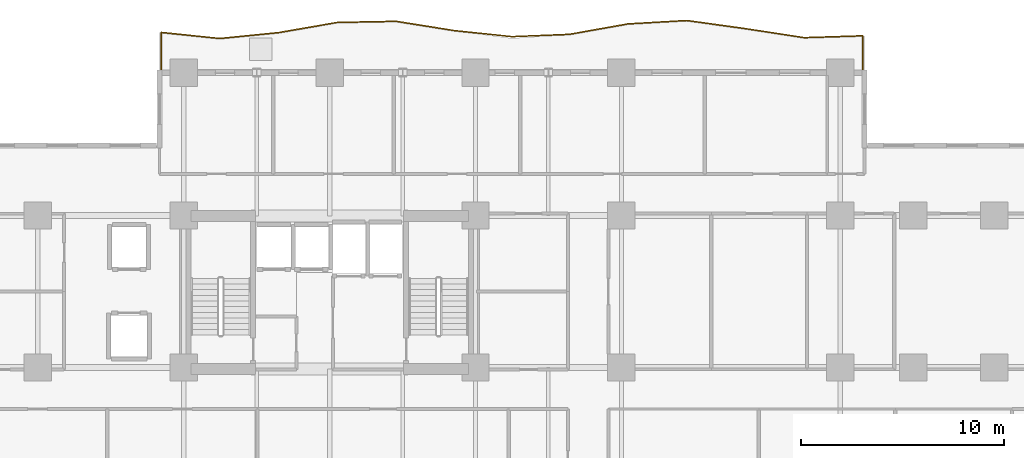
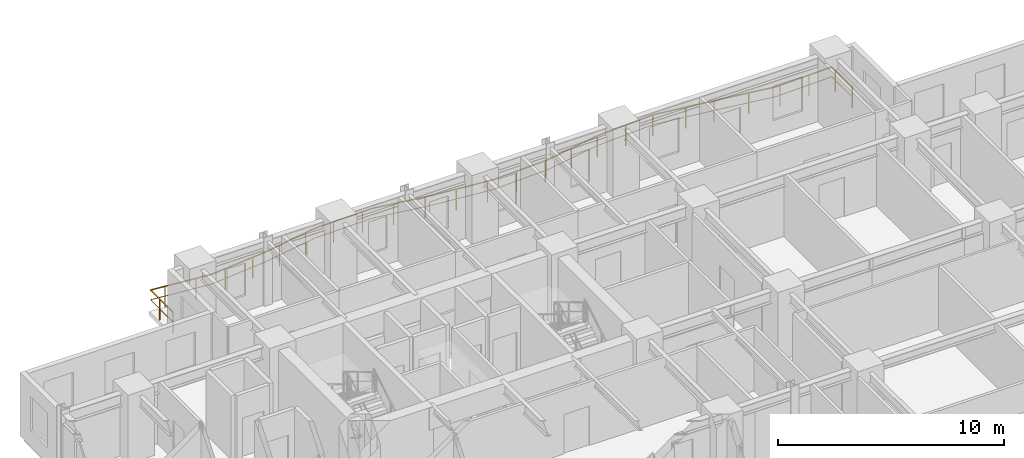
# One storey, part 11 of 11: 1 railing.
"""IFC4 building model written with IfcOpenShell, lengths in metres."""

from ifc_helpers import new_model, si_unit, direction, frame, origin, origin_2d, place, context, subcontext, project, spatial, rectangle, extrude, material, type_object, element, save


model = new_model("IFC4")

# Units and contexts
model_context = context("Model", 3, precision=1e-05, world=origin(), true_north=direction((0.0, 1.0)))
body_context = subcontext(model_context, "Body", "Model", "MODEL_VIEW")
ifc_project = project(units=[si_unit("LENGTHUNIT", "METRE"), si_unit("AREAUNIT", "SQUARE_METRE"), si_unit("VOLUMEUNIT", "CUBIC_METRE"), si_unit("PLANEANGLEUNIT", "RADIAN"), si_unit("MASSUNIT", "GRAM", prefix="KILO")], contexts=[model_context])

# Site, building, storey
site_placement = place(None, origin())
site = spatial("IfcSite", under=ifc_project, at=site_placement, CompositionType="ELEMENT")
building_placement = place(site_placement, origin())
building = spatial("IfcBuilding", under=site, at=building_placement, Name="Kaliganga Portal Commons", CompositionType="ELEMENT")
storey_placement = place(building_placement, frame((0.0, 0.0, 54.89990234375)))
storey = spatial("IfcBuildingStorey", under=building, at=storey_placement, Name="L13", CompositionType="ELEMENT", Elevation=54.89990234375)

# Railing
ifc_material = material(Name="Laminated Safety Glass and Stainless Steel 316", Category="steel")
railing_type = type_object("IfcRailingType", Name="RLG-BAL-1150", PredefinedType="BALUSTRADE", material=ifc_material)
railing_placement = place(storey_placement, frame((47.92041015625, 43.208251953125, 0.0)))
element("IfcRailing", 1, at=railing_placement, inside=storey, type_object=railing_type, Name="Balcony Guardrail L13 balc_north", PredefinedType="BALUSTRADE", context=body_context, shape_type="SweptSolid", body=[
    extrude(rectangle(XDim=0.048095703125, YDim=0.048095703125, at=origin_2d()), frame((0.0, 0.0, 1.1259765625), z_axis=(-0.000269469136, 0.999999963693, 0.0), x_axis=(-0.999999963693, -0.000269469136, 0.0)), (0.0, 0.0, 1.0), 1.81201171875),
    extrude(rectangle(XDim=0.028076171875, YDim=0.028076171875, at=origin_2d()), frame((0.0, 0.0, 0.597900390625), z_axis=(-0.000269469136, 0.999999963693, 0.0), x_axis=(-0.999999963693, -0.000269469136, 0.0)), (0.0, 0.0, 1.0), 1.81201171875),
    extrude(rectangle(XDim=0.048095703125, YDim=0.048095703125, at=origin_2d()), frame((-0.00048828125, 1.81201171875, 1.1259765625), z_axis=(-0.999499351622, -0.031639312697, 0.0), x_axis=(0.031639312697, -0.999499351622, 0.0)), (0.0, 0.0, 1.0), 2.9013671875),
    extrude(rectangle(XDim=0.028076171875, YDim=0.028076171875, at=origin_2d()), frame((-0.00048828125, 1.81201171875, 0.597900390625), z_axis=(-0.999499351622, -0.031639312697, 0.0), x_axis=(0.031639312697, -0.999499351622, 0.0)), (0.0, 0.0, 1.0), 2.9013671875),
    extrude(rectangle(XDim=0.048095703125, YDim=0.048095703125, at=origin_2d()), frame((-2.900390625, 1.72021484375, 1.1259765625), z_axis=(-0.988401500566, 0.151863338822, 0.0), x_axis=(-0.151863338822, -0.988401500566, 0.0)), (0.0, 0.0, 1.0), 2.933837890625),
    extrude(rectangle(XDim=0.028076171875, YDim=0.028076171875, at=origin_2d()), frame((-2.900390625, 1.72021484375, 0.597900390625), z_axis=(-0.988401500566, 0.151863338822, 0.0), x_axis=(-0.151863338822, -0.988401500566, 0.0)), (0.0, 0.0, 1.0), 2.933837890625),
    extrude(rectangle(XDim=0.048095703125, YDim=0.048095703125, at=origin_2d()), frame((-5.80029296875, 2.165771484375, 1.1259765625), z_axis=(-0.990579823892, 0.136936527263, 0.0), x_axis=(-0.136936527263, -0.990579823892, 0.0)), (0.0, 0.0, 1.0), 2.927490234375),
    extrude(rectangle(XDim=0.028076171875, YDim=0.028076171875, at=origin_2d()), frame((-5.80029296875, 2.165771484375, 0.597900390625), z_axis=(-0.990579823892, 0.136936527263, 0.0), x_axis=(-0.136936527263, -0.990579823892, 0.0)), (0.0, 0.0, 1.0), 2.927490234375),
    extrude(rectangle(XDim=0.048095703125, YDim=0.048095703125, at=origin_2d()), frame((-8.7001953125, 2.566650390625, 1.1259765625), z_axis=(-0.998331566542, -0.057741520981, 0.0), x_axis=(0.057741520981, -0.998331566542, 0.0)), (0.0, 0.0, 1.0), 2.90478515625),
    extrude(rectangle(XDim=0.028076171875, YDim=0.028076171875, at=origin_2d()), frame((-8.7001953125, 2.566650390625, 0.597900390625), z_axis=(-0.998331566542, -0.057741520981, 0.0), x_axis=(0.057741520981, -0.998331566542, 0.0)), (0.0, 0.0, 1.0), 2.90478515625),
    extrude(rectangle(XDim=0.048095703125, YDim=0.048095703125, at=origin_2d()), frame((-11.60009765625, 2.39892578125, 1.1259765625), z_axis=(-0.984591059627, -0.17487265453, 0.0), x_axis=(0.17487265453, -0.984591059627, 0.0)), (0.0, 0.0, 1.0), 2.94580078125),
    extrude(rectangle(XDim=0.028076171875, YDim=0.028076171875, at=origin_2d()), frame((-11.60009765625, 2.39892578125, 0.597900390625), z_axis=(-0.984591059627, -0.17487265453, 0.0), x_axis=(0.17487265453, -0.984591059627, 0.0)), (0.0, 0.0, 1.0), 2.94580078125),
    extrude(rectangle(XDim=0.048095703125, YDim=0.048095703125, at=origin_2d()), frame((-14.50048828125, 1.8837890625, 1.1259765625), z_axis=(-0.99917659204, -0.040572625253, 0.0), x_axis=(0.040572625253, -0.99917659204, 0.0)), (0.0, 0.0, 1.0), 2.822265625),
    extrude(rectangle(XDim=0.028076171875, YDim=0.028076171875, at=origin_2d()), frame((-14.50048828125, 1.8837890625, 0.597900390625), z_axis=(-0.99917659204, -0.040572625253, 0.0), x_axis=(0.040572625253, -0.99917659204, 0.0)), (0.0, 0.0, 1.0), 2.822265625),
    extrude(rectangle(XDim=0.048095703125, YDim=0.048095703125, at=origin_2d()), frame((-17.3203125, 1.769287109375, 1.1259765625), z_axis=(-0.994533247809, 0.104420395533, 0.0), x_axis=(-0.104420395533, -0.994533247809, 0.0)), (0.0, 0.0, 1.0), 2.836181640625),
    extrude(rectangle(XDim=0.028076171875, YDim=0.028076171875, at=origin_2d()), frame((-17.3203125, 1.769287109375, 0.597900390625), z_axis=(-0.994533247809, 0.104420395533, 0.0), x_axis=(-0.104420395533, -0.994533247809, 0.0)), (0.0, 0.0, 1.0), 2.836181640625),
    extrude(rectangle(XDim=0.048095703125, YDim=0.048095703125, at=origin_2d()), frame((-20.140869140625, 2.0654296875, 1.1259765625), z_axis=(-0.987552439779, 0.157290109947, 0.0), x_axis=(-0.157290109947, -0.987552439779, 0.0)), (0.0, 0.0, 1.0), 2.936767578125),
    extrude(rectangle(XDim=0.028076171875, YDim=0.028076171875, at=origin_2d()), frame((-20.140869140625, 2.0654296875, 0.597900390625), z_axis=(-0.987552439779, 0.157290109947, 0.0), x_axis=(-0.157290109947, -0.987552439779, 0.0)), (0.0, 0.0, 1.0), 2.936767578125),
    extrude(rectangle(XDim=0.048095703125, YDim=0.048095703125, at=origin_2d()), frame((-23.041015625, 2.52734375, 1.1259765625), z_axis=(-0.999814174039, -0.019277380303, 0.0), x_axis=(0.019277380303, -0.999814174039, 0.0)), (0.0, 0.0, 1.0), 2.900146484375),
    extrude(rectangle(XDim=0.028076171875, YDim=0.028076171875, at=origin_2d()), frame((-23.041015625, 2.52734375, 0.597900390625), z_axis=(-0.999814174039, -0.019277380303, 0.0), x_axis=(0.019277380303, -0.999814174039, 0.0)), (0.0, 0.0, 1.0), 2.900146484375),
    extrude(rectangle(XDim=0.048095703125, YDim=0.048095703125, at=origin_2d()), frame((-25.940673828125, 2.471435546875, 1.1259765625), z_axis=(-0.985387214448, -0.170329203609, 0.0), x_axis=(0.170329203609, -0.985387214448, 0.0)), (0.0, 0.0, 1.0), 2.942626953125),
    extrude(rectangle(XDim=0.028076171875, YDim=0.028076171875, at=origin_2d()), frame((-25.940673828125, 2.471435546875, 0.597900390625), z_axis=(-0.985387214448, -0.170329203609, 0.0), x_axis=(0.170329203609, -0.985387214448, 0.0)), (0.0, 0.0, 1.0), 2.942626953125),
    extrude(rectangle(XDim=0.048095703125, YDim=0.048095703125, at=origin_2d()), frame((-28.84033203125, 1.97021484375, 1.1259765625), z_axis=(-0.994994805252, -0.099926660718, 0.0), x_axis=(0.099926660718, -0.994994805252, 0.0)), (0.0, 0.0, 1.0), 2.914794921875),
    extrude(rectangle(XDim=0.028076171875, YDim=0.028076171875, at=origin_2d()), frame((-28.84033203125, 1.97021484375, 0.597900390625), z_axis=(-0.994994805252, -0.099926660718, 0.0), x_axis=(0.099926660718, -0.994994805252, 0.0)), (0.0, 0.0, 1.0), 2.914794921875),
    extrude(rectangle(XDim=0.048095703125, YDim=0.048095703125, at=origin_2d()), frame((-31.740478515625, 1.678955078125, 1.1259765625), z_axis=(-0.994672565379, 0.103084856708, 0.0), x_axis=(-0.103084856708, -0.994672565379, 0.0)), (0.0, 0.0, 1.0), 2.91552734375),
    extrude(rectangle(XDim=0.028076171875, YDim=0.028076171875, at=origin_2d()), frame((-31.740478515625, 1.678955078125, 0.597900390625), z_axis=(-0.994672565379, 0.103084856708, 0.0), x_axis=(-0.103084856708, -0.994672565379, 0.0)), (0.0, 0.0, 1.0), 2.91552734375),
    extrude(rectangle(XDim=0.048095703125, YDim=0.048095703125, at=origin_2d()), frame((-34.640380859375, 1.9794921875, 1.1259765625), z_axis=(-0.000246669948, -0.999999969577, 0.0), x_axis=(0.999999969577, -0.000246669948, 0.0)), (0.0, 0.0, 1.0), 1.9794921875),
    extrude(rectangle(XDim=0.028076171875, YDim=0.028076171875, at=origin_2d()), frame((-34.640380859375, 1.9794921875, 0.597900390625), z_axis=(-0.000246669948, -0.999999969577, 0.0), x_axis=(0.999999969577, -0.000246669948, 0.0)), (0.0, 0.0, 1.0), 1.9794921875),
    extrude(rectangle(XDim=0.0419921875, YDim=0.0419921875, at=origin_2d()), origin(), (0.0, 0.0, 1.0), 1.101806640625),
    extrude(rectangle(XDim=0.0419921875, YDim=0.0419921875, at=origin_2d()), frame((-0.00048828125, 1.5, 0.0)), (0.0, 0.0, 1.0), 1.101806640625),
    extrude(rectangle(XDim=0.0419921875, YDim=0.0419921875, at=origin_2d()), frame((-1.18798828125, 1.7744140625, 0.0)), (0.0, 0.0, 1.0), 1.101806640625),
    extrude(rectangle(XDim=0.0419921875, YDim=0.0419921875, at=origin_2d()), frame((-2.68701171875, 1.72705078125, 0.0)), (0.0, 0.0, 1.0), 1.101806640625),
    extrude(rectangle(XDim=0.0419921875, YDim=0.0419921875, at=origin_2d()), frame((-4.172119140625, 1.91552734375, 0.0)), (0.0, 0.0, 1.0), 1.101806640625),
    extrude(rectangle(XDim=0.0419921875, YDim=0.0419921875, at=origin_2d()), frame((-5.80029296875, 2.165771484375, 0.0)), (0.0, 0.0, 1.0), 1.101806640625),
    extrude(rectangle(XDim=0.0419921875, YDim=0.0419921875, at=origin_2d()), frame((-7.14013671875, 2.35107421875, 0.0)), (0.0, 0.0, 1.0), 1.101806640625),
    extrude(rectangle(XDim=0.0419921875, YDim=0.0419921875, at=origin_2d()), frame((-8.7001953125, 2.566650390625, 0.0)), (0.0, 0.0, 1.0), 1.101806640625),
    extrude(rectangle(XDim=0.0419921875, YDim=0.0419921875, at=origin_2d()), frame((-10.123046875, 2.484375, 0.0)), (0.0, 0.0, 1.0), 1.101806640625),
    extrude(rectangle(XDim=0.0419921875, YDim=0.0419921875, at=origin_2d()), frame((-11.620361328125, 2.395263671875, 0.0)), (0.0, 0.0, 1.0), 1.101806640625),
    extrude(rectangle(XDim=0.0419921875, YDim=0.0419921875, at=origin_2d()), frame((-13.09716796875, 2.133056640625, 0.0)), (0.0, 0.0, 1.0), 1.101806640625),
    extrude(rectangle(XDim=0.0419921875, YDim=0.0419921875, at=origin_2d()), frame((-14.5751953125, 1.880859375, 0.0)), (0.0, 0.0, 1.0), 1.101806640625),
    extrude(rectangle(XDim=0.0419921875, YDim=0.0419921875, at=origin_2d()), frame((-16.073974609375, 1.81982421875, 0.0)), (0.0, 0.0, 1.0), 1.101806640625),
    extrude(rectangle(XDim=0.0419921875, YDim=0.0419921875, at=origin_2d()), frame((-17.571533203125, 1.795654296875, 0.0)), (0.0, 0.0, 1.0), 1.101806640625),
    extrude(rectangle(XDim=0.0419921875, YDim=0.0419921875, at=origin_2d()), frame((-19.063232421875, 1.952392578125, 0.0)), (0.0, 0.0, 1.0), 1.101806640625),
    extrude(rectangle(XDim=0.0419921875, YDim=0.0419921875, at=origin_2d()), frame((-20.55224609375, 2.130859375, 0.0)), (0.0, 0.0, 1.0), 1.101806640625),
    extrude(rectangle(XDim=0.0419921875, YDim=0.0419921875, at=origin_2d()), frame((-22.033447265625, 2.366943359375, 0.0)), (0.0, 0.0, 1.0), 1.101806640625),
    extrude(rectangle(XDim=0.0419921875, YDim=0.0419921875, at=origin_2d()), frame((-23.520751953125, 2.51806640625, 0.0)), (0.0, 0.0, 1.0), 1.101806640625),
    extrude(rectangle(XDim=0.0419921875, YDim=0.0419921875, at=origin_2d()), frame((-25.0205078125, 2.4892578125, 0.0)), (0.0, 0.0, 1.0), 1.101806640625),
    extrude(rectangle(XDim=0.0419921875, YDim=0.0419921875, at=origin_2d()), frame((-26.51171875, 2.372802734375, 0.0)), (0.0, 0.0, 1.0), 1.101806640625),
    extrude(rectangle(XDim=0.0419921875, YDim=0.0419921875, at=origin_2d()), frame((-27.989990234375, 2.1171875, 0.0)), (0.0, 0.0, 1.0), 1.101806640625),
    extrude(rectangle(XDim=0.0419921875, YDim=0.0419921875, at=origin_2d()), frame((-29.47412109375, 1.906494140625, 0.0)), (0.0, 0.0, 1.0), 1.101806640625),
    extrude(rectangle(XDim=0.0419921875, YDim=0.0419921875, at=origin_2d()), frame((-30.966552734375, 1.756591796875, 0.0)), (0.0, 0.0, 1.0), 1.101806640625),
    extrude(rectangle(XDim=0.0419921875, YDim=0.0419921875, at=origin_2d()), frame((-32.458740234375, 1.75341796875, 0.0)), (0.0, 0.0, 1.0), 1.101806640625),
    extrude(rectangle(XDim=0.0419921875, YDim=0.0419921875, at=origin_2d()), frame((-33.950927734375, 1.907958984375, 0.0)), (0.0, 0.0, 1.0), 1.101806640625),
    extrude(rectangle(XDim=0.0419921875, YDim=0.0419921875, at=origin_2d()), frame((-34.640625, 1.1728515625, 0.0)), (0.0, 0.0, 1.0), 1.101806640625),
    extrude(rectangle(XDim=0.0419921875, YDim=0.0419921875, at=origin_2d()), frame((-34.640869140625, 0.0, 0.0)), (0.0, 0.0, 1.0), 1.101806640625),
])

save(model, "model.ifc")
